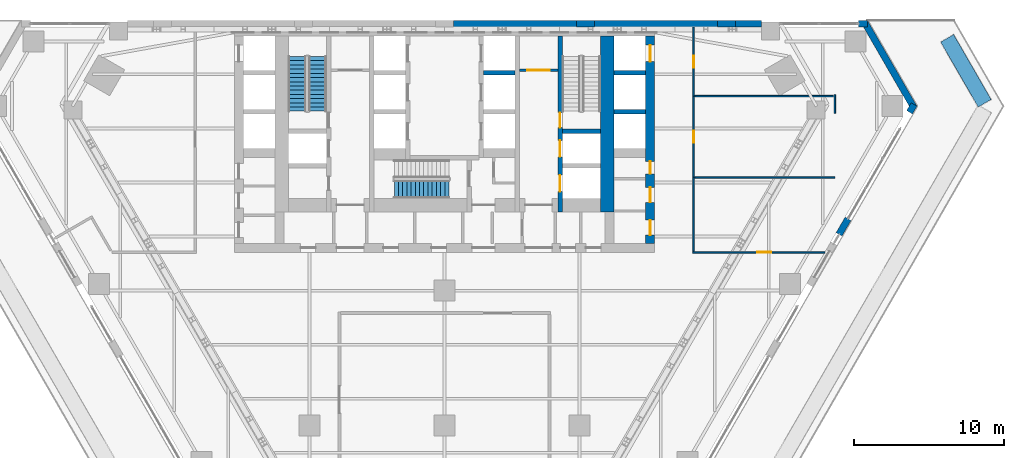
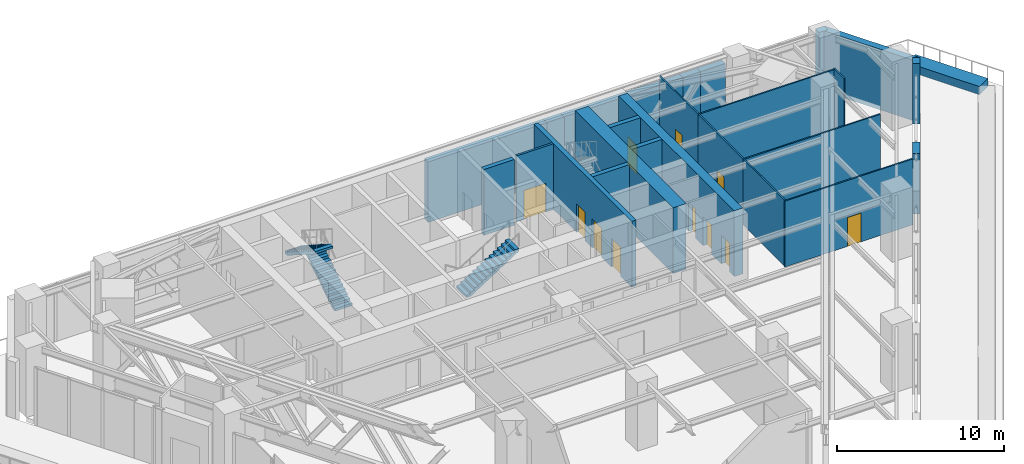
# One storey, part 21 of 25: 25 walls, 11 doors, 3 stair flights, 11 openings, 2 elements without a shape of their own.
"""IFC4 building model written with IfcOpenShell, lengths in metres."""

from ifc_helpers import new_model, si_unit, direction, frame, frame_2d, origin, place, context, subcontext, project, spatial, polyline, rectangle, outline, extrude, material, layer, layer_set, type_object, element, fill, aggregate, save


model = new_model("IFC4")

# Units and contexts
model_context = context("Model", 3, precision=1e-05, world=origin(), true_north=direction((0.0, 1.0)))
body_context = subcontext(model_context, "Body", "Model", "MODEL_VIEW")
ifc_project = project(units=[si_unit("LENGTHUNIT", "METRE"), si_unit("AREAUNIT", "SQUARE_METRE"), si_unit("VOLUMEUNIT", "CUBIC_METRE"), si_unit("PLANEANGLEUNIT", "RADIAN"), si_unit("MASSUNIT", "GRAM", prefix="KILO")], contexts=[model_context])

# Site, building, storey
site_placement = place(None, origin())
site = spatial("IfcSite", under=ifc_project, at=site_placement, CompositionType="ELEMENT")
building_placement = place(site_placement, origin())
building = spatial("IfcBuilding", under=site, at=building_placement, Name="Aloe Facet Convention Tower", CompositionType="ELEMENT")
storey_placement = place(building_placement, frame((0.0, 0.0, 30.0)))
storey = spatial("IfcBuildingStorey", under=building, at=storey_placement, Name="L05", CompositionType="ELEMENT", Elevation=30.0)

# Wall, opening, door
ifc_material_1 = material(Name="Concrete blockwork partition", Category="masonry")
ifc_layer_1 = layer(ifc_material_1, 0.14990234375)
ifc_layer_set_1 = layer_set([ifc_layer_1], Name="CR-W-PART150")
wall_type_1 = type_object("IfcWallType", Name="CR-W-PART150", PredefinedType="PARTITIONING", material=ifc_layer_set_1)
wall_1_placement = place(storey_placement, frame((85.0, 131.675048828125, 0.0), z_axis=(0.0, 0.0, 1.0), x_axis=(1.0, 0.0, 0.0)))
wall_1 = element("IfcWall", 1, at=wall_1_placement, inside=storey, type_object=wall_type_1, Name="Core partition L05-038", PredefinedType="PARTITIONING", context=body_context, shape_type="SweptSolid", body=[
    extrude(rectangle(XDim=2.550048828125, YDim=0.14990234375, at=frame_2d((1.27490234375, 0.0))), origin(), (0.0, 0.0, 1.0), 4.800048828125),
])
opening_1_placement = place(wall_1_placement, frame((0.52490234375, 0.0, 0.0)))
opening_1 = element("IfcOpeningElement", 2, at=opening_1_placement, cuts=wall_1, Name="Opening L05-CD21", PredefinedType="OPENING", context=body_context, shape_type="SweptSolid", body=[
    extrude(rectangle(XDim=1.5, YDim=2.10009765625, at=frame_2d((0.75, 1.050048828125))), frame((0.0, 0.0849609375, 0.0), z_axis=(0.0, -1.0, 0.0), x_axis=(1.0, 0.0, 0.0)), (0.0, 0.0, 1.0), 0.169921875),
])
ifc_material_2 = material(Name="Steel fire-resisting door set FD60", Category="steel")
door_type_1 = type_object("IfcDoorType", Name="CR-D-REFUGE-1500-FD60-DD", OperationType="DOUBLE_DOOR_DOUBLE_SWING", PredefinedType="DOOR", material=ifc_material_2)
door_1_placement = place(opening_1_placement, origin())
door_1 = element("IfcDoor", 3, at=door_1_placement, inside=storey, type_object=door_type_1, Name="Core door L05-CD21", OperationType="DOUBLE_DOOR_DOUBLE_SWING", OverallHeight=2.10009765625, OverallWidth=1.5, PredefinedType="DOOR", context=body_context, shape_type="SweptSolid", body=[
    extrude(rectangle(XDim=1.5, YDim=2.10009765625, at=frame_2d((0.75, 1.050048828125))), frame((0.0, 0.02490234375, 0.0), z_axis=(0.0, -1.0, 0.0), x_axis=(1.0, 0.0, 0.0)), (0.0, 0.0, 1.0), 0.050048828125),
])
fill(opening_1, door_1)

# Wall
ifc_material_3 = material(Name="Concrete C80/95", Category="concrete")
ifc_layer_2 = layer(ifc_material_3, 0.300048828125)
ifc_layer_set_2 = layer_set([ifc_layer_2], Name="CR-W-RC300-C8095")
wall_type_2 = type_object("IfcWallType", Name="CR-W-RC300-C8095", PredefinedType="SOLIDWALL", material=ifc_layer_set_2)
wall_2_placement = place(storey_placement, frame((82.60009765625, 131.5, 0.0), z_axis=(0.0, 0.0, 1.0), x_axis=(1.0, 0.0, 0.0)))
element("IfcWall", 4, at=wall_2_placement, inside=storey, type_object=wall_type_2, Name="Core wall L05-031", PredefinedType="SOLIDWALL", context=body_context, shape_type="SweptSolid", body=[
    extrude(rectangle(XDim=2.099853515625, YDim=0.300048828125, at=frame_2d((1.0498046875, 0.0))), origin(), (0.0, 0.0, 1.0), 4.800048828125),
])

# Wall, openings, doors
wall_3_placement = place(storey_placement, frame((87.699951171875, 133.949951171875, 0.0), z_axis=(0.0, 0.0, 1.0), x_axis=(0.0, -1.0, 0.0)))
wall_3 = element("IfcWall", 5, at=wall_3_placement, inside=storey, type_object=wall_type_2, Name="Core wall L05-042", PredefinedType="SOLIDWALL", context=body_context, shape_type="SweptSolid", body=[
    extrude(rectangle(XDim=11.699951171875, YDim=0.300048828125, at=frame_2d((5.85009765625, 0.0))), origin(), (0.0, 0.0, 1.0), 4.800048828125),
])
opening_2_placement = place(wall_3_placement, frame((6.949951171875, 0.0, 0.0)))
opening_2 = element("IfcOpeningElement", 6, at=opening_2_placement, cuts=wall_3, Name="Opening LD-FF2-L05", PredefinedType="OPENING", context=body_context, shape_type="SweptSolid", body=[
    extrude(rectangle(XDim=1.10009765625, YDim=2.10009765625, at=frame_2d((0.550048828125, 1.050048828125))), frame((0.0, 0.16015625, 0.0), z_axis=(0.0, -1.0, 0.0), x_axis=(1.0, 0.0, 0.0)), (0.0, 0.0, 1.0), 0.320068359375),
])
opening_3_placement = place(wall_3_placement, frame((5.10009765625, 0.0, 0.0)))
opening_3 = element("IfcOpeningElement", 7, at=opening_3_placement, cuts=wall_3, Name="Opening L05-CD31", PredefinedType="OPENING", context=body_context, shape_type="SweptSolid", body=[
    extrude(rectangle(XDim=1.0, YDim=2.10009765625, at=frame_2d((0.5, 1.050048828125))), frame((0.0, 0.16015625, 0.0), z_axis=(0.0, -1.0, 0.0), x_axis=(1.0, 0.0, 0.0)), (0.0, 0.0, 1.0), 0.320068359375),
])
opening_4_placement = place(wall_3_placement, frame((9.25, 0.0, 0.0)))
opening_4 = element("IfcOpeningElement", 8, at=opening_4_placement, cuts=wall_3, Name="Opening LD-SV1-L05", PredefinedType="OPENING", context=body_context, shape_type="SweptSolid", body=[
    extrude(rectangle(XDim=1.10009765625, YDim=2.10009765625, at=frame_2d((0.550048828125, 1.050048828125))), frame((0.0, 0.16015625, 0.0), z_axis=(0.0, -1.0, 0.0), x_axis=(1.0, 0.0, 0.0)), (0.0, 0.0, 1.0), 0.320068359375),
])
ifc_material_4 = material(Name="Steel fire-resisting door set FD120", Category="steel")
door_type_2 = type_object("IfcDoorType", Name="CR-D-STAIR-1000-FD120-SLEFT", OperationType="SINGLE_SWING_LEFT", PredefinedType="DOOR", material=ifc_material_4)
door_2_placement = place(opening_3_placement, origin())
door_2 = element("IfcDoor", 9, at=door_2_placement, inside=storey, type_object=door_type_2, Name="Core door L05-CD31", OperationType="SINGLE_SWING_LEFT", OverallHeight=2.10009765625, OverallWidth=1.0, PredefinedType="DOOR", context=body_context, shape_type="SweptSolid", body=[
    extrude(rectangle(XDim=1.0, YDim=2.10009765625, at=frame_2d((0.5, 1.050048828125))), frame((0.0, 0.02490234375, 0.0), z_axis=(0.0, -1.0, 0.0), x_axis=(1.0, 0.0, 0.0)), (0.0, 0.0, 1.0), 0.050048828125),
])
fill(opening_3, door_2)
ifc_material_5 = material(Name="Stainless steel sliding landing door", Category="steel")
door_type_3 = type_object("IfcDoorType", Name="CR-LD-1100-FD120-_LEFT", OperationType="SLIDING_TO_LEFT", PredefinedType="DOOR", material=ifc_material_5)
door_3_placement = place(opening_2_placement, origin())
door_3 = element("IfcDoor", 10, at=door_3_placement, inside=storey, type_object=door_type_3, Name="Landing door FF2 L05", OperationType="SLIDING_TO_LEFT", OverallHeight=2.10009765625, OverallWidth=1.10009765625, PredefinedType="DOOR", context=body_context, shape_type="SweptSolid", body=[
    extrude(rectangle(XDim=1.10009765625, YDim=2.10009765625, at=frame_2d((0.550048828125, 1.050048828125))), frame((0.0, 0.02490234375, 0.0), z_axis=(0.0, -1.0, 0.0), x_axis=(1.0, 0.0, 0.0)), (0.0, 0.0, 1.0), 0.050048828125),
])
fill(opening_2, door_3)
door_4_placement = place(opening_4_placement, origin())
door_4 = element("IfcDoor", 11, at=door_4_placement, inside=storey, type_object=door_type_3, Name="Landing door SV1 L05", OperationType="SLIDING_TO_LEFT", OverallHeight=2.10009765625, OverallWidth=1.10009765625, PredefinedType="DOOR", context=body_context, shape_type="SweptSolid", body=[
    extrude(rectangle(XDim=1.10009765625, YDim=2.10009765625, at=frame_2d((0.550048828125, 1.050048828125))), frame((0.0, 0.02490234375, 0.0), z_axis=(0.0, -1.0, 0.0), x_axis=(1.0, 0.0, 0.0)), (0.0, 0.0, 1.0), 0.050048828125),
])
fill(opening_4, door_4)

# Walls
wall_4_placement = place(storey_placement, frame((87.85009765625, 127.60009765625, 0.0), z_axis=(0.0, 0.0, 1.0), x_axis=(1.0, 0.0, 0.0)))
element("IfcWall", 12, at=wall_4_placement, inside=storey, type_object=wall_type_2, Name="Core wall L05-043", PredefinedType="SOLIDWALL", context=body_context, shape_type="SweptSolid", body=[
    extrude(rectangle(XDim=2.5498046875, YDim=0.300048828125, at=frame_2d((1.27490234375, 0.0))), origin(), (0.0, 0.0, 1.0), 4.800048828125),
])
for number, where, z_axis, x_axis, name in (
    (13, (91.300048828125, 131.5, 0.0), (0.0, 0.0, 1.0), (1.0, 0.0, 0.0), "Core wall L05-049"),
    (14, (91.300048828125, 128.89990234375, 0.0), (0.0, 0.0, 1.0), (1.0, 0.0, 0.0), "Core wall L05-050"),
):
    element("IfcWall", number, at=place(storey_placement, frame(where, z_axis=z_axis, x_axis=x_axis)), inside=storey, type_object=wall_type_2, Name=name, PredefinedType="SOLIDWALL", context=body_context, shape_type="SweptSolid", body=[
        extrude(rectangle(XDim=2.099853515625, YDim=0.300048828125, at=frame_2d((1.0498046875, 0.0))), origin(), (0.0, 0.0, 1.0), 4.800048828125),
    ])

# Wall, openings, doors
ifc_material_6 = material(Name="Concrete C80/95", Category="concrete")
ifc_layer_3 = layer(ifc_material_6, 0.60009765625)
ifc_layer_set_3 = layer_set([ifc_layer_3], Name="CR-W-RC600-C8095")
wall_type_3 = type_object("IfcWallType", Name="CR-W-RC600-C8095", PredefinedType="SOLIDWALL", material=ifc_layer_set_3)
wall_5_placement = place(storey_placement, frame((93.699951171875, 133.949951171875, 0.0), z_axis=(0.0, 0.0, 1.0), x_axis=(0.0, -1.0, 0.0)))
wall_5 = element("IfcWall", 15, at=wall_5_placement, inside=storey, type_object=wall_type_3, Name="Core wall L05-054", PredefinedType="SOLIDWALL", context=body_context, shape_type="SweptSolid", body=[
    extrude(rectangle(XDim=13.800048828125, YDim=0.60009765625, at=frame_2d((6.89990234375, 0.0))), origin(), (0.0, 0.0, 1.0), 4.800048828125),
])
opening_5_placement = place(wall_5_placement, frame((0.60009765625, 0.0, 0.0)))
opening_5 = element("IfcOpeningElement", 16, at=opening_5_placement, cuts=wall_5, Name="Opening LD-A8-L05", PredefinedType="OPENING", context=body_context, shape_type="SweptSolid", body=[
    extrude(rectangle(XDim=1.10009765625, YDim=2.10009765625, at=frame_2d((0.550048828125, 1.050048828125))), frame((0.0, 0.31005859375, 0.0), z_axis=(0.0, -1.0, 0.0), x_axis=(1.0, 0.0, 0.0)), (0.0, 0.0, 1.0), 0.6201171875),
])
opening_6_placement = place(wall_5_placement, frame((8.35009765625, 0.0, 0.0)))
opening_6 = element("IfcOpeningElement", 17, at=opening_6_placement, cuts=wall_5, Name="Opening L05-CD09", PredefinedType="OPENING", context=body_context, shape_type="SweptSolid", body=[
    extrude(rectangle(XDim=0.826416015625, YDim=2.10009765625, at=frame_2d((0.4130859375, 1.050048828125))), frame((0.0, 0.31005859375, 0.0), z_axis=(0.0, -1.0, 0.0), x_axis=(1.0, 0.0, 0.0)), (0.0, 0.0, 1.0), 0.6201171875),
])
opening_7_placement = place(wall_5_placement, frame((10.071044921875, 0.0, 0.0)))
opening_7 = element("IfcOpeningElement", 18, at=opening_7_placement, cuts=wall_5, Name="Opening L05-CD10", PredefinedType="OPENING", context=body_context, shape_type="SweptSolid", body=[
    extrude(rectangle(XDim=1.0, YDim=2.10009765625, at=frame_2d((0.5, 1.050048828125))), frame((0.0, 0.31005859375, 0.0), z_axis=(0.0, -1.0, 0.0), x_axis=(1.0, 0.0, 0.0)), (0.0, 0.0, 1.0), 0.6201171875),
])
opening_8_placement = place(wall_5_placement, frame((12.2578125, 0.0, 0.0)))
opening_8 = element("IfcOpeningElement", 19, at=opening_8_placement, cuts=wall_5, Name="Opening L05-CD11", PredefinedType="OPENING", context=body_context, shape_type="SweptSolid", body=[
    extrude(rectangle(XDim=1.0, YDim=2.10009765625, at=frame_2d((0.5, 1.050048828125))), frame((0.0, 0.31005859375, 0.0), z_axis=(0.0, -1.0, 0.0), x_axis=(1.0, 0.0, 0.0)), (0.0, 0.0, 1.0), 0.6201171875),
])
ifc_material_7 = material(Name="Steel fire-resisting door set FD60", Category="steel")
door_type_4 = type_object("IfcDoorType", Name="CR-D-ROOM-1000-FD60-SLEFT", OperationType="SINGLE_SWING_LEFT", PredefinedType="DOOR", material=ifc_material_7)
door_5_placement = place(opening_7_placement, origin())
door_5 = element("IfcDoor", 20, at=door_5_placement, inside=storey, type_object=door_type_4, Name="Core door L05-CD10", OperationType="SINGLE_SWING_LEFT", OverallHeight=2.10009765625, OverallWidth=1.0, PredefinedType="DOOR", context=body_context, shape_type="SweptSolid", body=[
    extrude(rectangle(XDim=1.0, YDim=2.10009765625, at=frame_2d((0.5, 1.050048828125))), frame((0.0, 0.02490234375, 0.0), z_axis=(0.0, -1.0, 0.0), x_axis=(1.0, 0.0, 0.0)), (0.0, 0.0, 1.0), 0.050048828125),
])
fill(opening_7, door_5)
door_6_placement = place(opening_8_placement, origin())
door_6 = element("IfcDoor", 21, at=door_6_placement, inside=storey, type_object=door_type_4, Name="Core door L05-CD11", OperationType="SINGLE_SWING_LEFT", OverallHeight=2.10009765625, OverallWidth=1.0, PredefinedType="DOOR", context=body_context, shape_type="SweptSolid", body=[
    extrude(rectangle(XDim=1.0, YDim=2.10009765625, at=frame_2d((0.5, 1.050048828125))), frame((0.0, 0.02490234375, 0.0), z_axis=(0.0, -1.0, 0.0), x_axis=(1.0, 0.0, 0.0)), (0.0, 0.0, 1.0), 0.050048828125),
])
fill(opening_8, door_6)
ifc_material_8 = material(Name="Steel fire-resisting door set FD60", Category="steel")
door_type_5 = type_object("IfcDoorType", Name="CR-D-ROOM-826-FD60-SLEFT", OperationType="SINGLE_SWING_LEFT", PredefinedType="DOOR", material=ifc_material_8)
door_7_placement = place(opening_6_placement, origin())
door_7 = element("IfcDoor", 22, at=door_7_placement, inside=storey, type_object=door_type_5, Name="Core door L05-CD09", OperationType="SINGLE_SWING_LEFT", OverallHeight=2.10009765625, OverallWidth=0.826416015625, PredefinedType="DOOR", context=body_context, shape_type="SweptSolid", body=[
    extrude(rectangle(XDim=0.826416015625, YDim=2.10009765625, at=frame_2d((0.4130859375, 1.050048828125))), frame((0.0, 0.02490234375, 0.0), z_axis=(0.0, -1.0, 0.0), x_axis=(1.0, 0.0, 0.0)), (0.0, 0.0, 1.0), 0.050048828125),
])
fill(opening_6, door_7)
ifc_material_9 = material(Name="Stainless steel sliding landing door", Category="steel")
door_type_6 = type_object("IfcDoorType", Name="CR-LD-1100-FD60-_LEFT", OperationType="SLIDING_TO_LEFT", PredefinedType="DOOR", material=ifc_material_9)
door_8_placement = place(opening_5_placement, origin())
door_8 = element("IfcDoor", 23, at=door_8_placement, inside=storey, type_object=door_type_6, Name="Landing door A8 L05", OperationType="SLIDING_TO_LEFT", OverallHeight=2.10009765625, OverallWidth=1.10009765625, PredefinedType="DOOR", context=body_context, shape_type="SweptSolid", body=[
    extrude(rectangle(XDim=1.10009765625, YDim=2.10009765625, at=frame_2d((0.550048828125, 1.050048828125))), frame((0.0, 0.02490234375, 0.0), z_axis=(0.0, -1.0, 0.0), x_axis=(1.0, 0.0, 0.0)), (0.0, 0.0, 1.0), 0.050048828125),
])
fill(opening_5, door_8)

# Walls
ifc_material_10 = material(Name="Concrete C80/95", Category="concrete")
ifc_layer_4 = layer(ifc_material_10, 0.89990234375)
ifc_layer_set_4 = layer_set([ifc_layer_4], Name="CR-W-RC900-C8095")
wall_type_4 = type_object("IfcWallType", Name="CR-W-RC900-C8095", PredefinedType="SOLIDWALL", material=ifc_layer_set_4)
wall_6_placement = place(storey_placement, frame((90.85009765625, 133.949951171875, 0.0), z_axis=(0.0, 0.0, 1.0), x_axis=(0.0, -1.0, 0.0)))
element("IfcWall", 24, at=wall_6_placement, inside=storey, type_object=wall_type_4, Name="Core wall L05-047", PredefinedType="SOLIDWALL", context=body_context, shape_type="SweptSolid", body=[
    extrude(rectangle(XDim=11.699951171875, YDim=0.89990234375, at=frame_2d((5.85009765625, 0.0))), origin(), (0.0, 0.0, 1.0), 4.800048828125),
])
ifc_material_11 = material(Name="Precast concrete C40/50", Category="concrete")
ifc_layer_5 = layer(ifc_material_11, 1.0)
ifc_layer_set_5 = layer_set([ifc_layer_5], Name="EV-PLANTER-BED")
wall_type_5 = type_object("IfcWallType", Name="EV-PLANTER-BED", PredefinedType="STANDARD", material=ifc_layer_set_5)
wall_7_placement = place(storey_placement, frame((113.48095703125, 133.80712890625, 0.0), z_axis=(0.0, 0.0, 1.0), x_axis=(0.500004234368, -0.866022959057, 0.0)))
element("IfcWall", 25, at=wall_7_placement, inside=storey, type_object=wall_type_5, Name="PLANTER PT-L05-1-1", PredefinedType="STANDARD", context=body_context, shape_type="SweptSolid", body=[
    extrude(rectangle(XDim=5.0, YDim=1.0, at=frame_2d((2.5, 0.0))), origin(), (0.0, 0.0, 1.0), 0.60009765625),
])
ifc_material_12 = material(Name="Precast concrete C40/50", Category="concrete")
ifc_layer_6 = layer(ifc_material_12, 0.449951171875)
ifc_layer_set_6 = layer_set([ifc_layer_6], Name="EV-WALL-PIER")
wall_type_6 = type_object("IfcWallType", Name="EV-WALL-PIER", PredefinedType="SOLIDWALL", material=ifc_layer_set_6)
wall_8_placement = place(storey_placement, frame((0.0, 0.0, -0.300048828125)))
element("IfcWall", 26, at=wall_8_placement, inside=storey, type_object=wall_type_6, Name="EP-L05-C", PredefinedType="SOLIDWALL", context=body_context, shape_type="SweptSolid", body=[
    extrude(outline(polyline([(111.473388671875, 129.2841796875), (111.083740234375, 129.50927734375), (110.953857421875, 129.2841796875), (107.91357421875, 134.550048828125), (108.173583984375, 134.550048828125), (108.173583984375, 135.0), (111.473388671875, 129.2841796875)])), origin(), (0.0, 0.0, 1.0), 4.41259765625),
])
ifc_material_13 = material(Name="Precast concrete C40/50", Category="concrete")
ifc_layer_7 = layer(ifc_material_13, 0.449951171875)
ifc_layer_set_7 = layer_set([ifc_layer_7], Name="EV-WALL-STONE")
wall_type_7 = type_object("IfcWallType", Name="EV-WALL-STONE", PredefinedType="SOLIDWALL", material=ifc_layer_set_7)
wall_9_placement = place(storey_placement, frame((108.173583984375, 134.77490234375, -0.300048828125), z_axis=(0.0, 0.0, 1.0), x_axis=(-1.0, 0.0, 0.0)))
element("IfcWall", 27, at=wall_9_placement, inside=storey, type_object=wall_type_7, Name="PW-L05-N01", PredefinedType="SOLIDWALL", context=body_context, shape_type="SweptSolid", body=[
    extrude(rectangle(XDim=0.60009765625, YDim=0.449951171875, at=frame_2d((0.300048828125, 0.0))), origin(), (0.0, 0.0, 1.0), 4.41259765625),
])
wall_10_placement = place(storey_placement, frame((101.10009765625, 134.77490234375, -0.300048828125), z_axis=(0.0, 0.0, 1.0), x_axis=(-1.0, 0.0, 0.0)))
element("IfcWall", 28, at=wall_10_placement, inside=storey, type_object=wall_type_7, Name="CW-L05-N02-R1", PredefinedType="SOLIDWALL", context=body_context, shape_type="SweptSolid", body=[
    extrude(rectangle(XDim=1.7177734375, YDim=0.449951171875, at=frame_2d((0.85888671875, 0.0))), origin(), (0.0, 0.0, 1.0), 4.41259765625),
])
wall_11_placement = place(storey_placement, frame((99.38232421875, 134.77490234375, -0.300048828125), z_axis=(0.0, 0.0, 1.0), x_axis=(-1.0, 0.0, 0.0)))
element("IfcWall", 29, at=wall_11_placement, inside=storey, type_object=wall_type_7, Name="PW-L05-N03", PredefinedType="SOLIDWALL", context=body_context, shape_type="SweptSolid", body=[
    extrude(rectangle(XDim=1.199951171875, YDim=0.449951171875, at=frame_2d((0.60009765625, 0.0))), origin(), (0.0, 0.0, 1.0), 4.41259765625),
])
wall_12_placement = place(storey_placement, frame((98.182373046875, 134.77490234375, -0.300048828125), z_axis=(0.0, 0.0, 1.0), x_axis=(-1.0, 0.0, 0.0)))
element("IfcWall", 30, at=wall_12_placement, inside=storey, type_object=wall_type_7, Name="PW-L05-N04", PredefinedType="SOLIDWALL", context=body_context, shape_type="SweptSolid", body=[
    extrude(rectangle(XDim=8.191162109375, YDim=0.449951171875, at=frame_2d((4.095703125, 0.0))), origin(), (0.0, 0.0, 1.0), 4.41259765625),
])
wall_13_placement = place(storey_placement, frame((89.9912109375, 134.77490234375, -0.300048828125), z_axis=(0.0, 0.0, 1.0), x_axis=(-1.0, 0.0, 0.0)))
element("IfcWall", 31, at=wall_13_placement, inside=storey, type_object=wall_type_7, Name="PW-L05-N05", PredefinedType="SOLIDWALL", context=body_context, shape_type="SweptSolid", body=[
    extrude(rectangle(XDim=1.199951171875, YDim=0.449951171875, at=frame_2d((0.60009765625, 0.0))), origin(), (0.0, 0.0, 1.0), 4.41259765625),
])
wall_14_placement = place(storey_placement, frame((88.791259765625, 134.77490234375, -0.300048828125), z_axis=(0.0, 0.0, 1.0), x_axis=(-1.0, 0.0, 0.0)))
element("IfcWall", 32, at=wall_14_placement, inside=storey, type_object=wall_type_7, Name="PW-L05-N06", PredefinedType="SOLIDWALL", context=body_context, shape_type="SweptSolid", body=[
    extrude(rectangle(XDim=8.191162109375, YDim=0.449951171875, at=frame_2d((4.095703125, 0.0))), origin(), (0.0, 0.0, 1.0), 4.41259765625),
])
wall_15_placement = place(storey_placement, frame((106.282958984375, 120.744140625, -0.300048828125), z_axis=(0.0, 0.0, 1.0), x_axis=(0.500033551112, 0.866006032174, 0.0)))
element("IfcWall", 33, at=wall_15_placement, inside=storey, type_object=wall_type_7, Name="PW-L05-E11", PredefinedType="SOLIDWALL", context=body_context, shape_type="SweptSolid", body=[
    extrude(rectangle(XDim=1.2001953125, YDim=0.449951171875, at=frame_2d((0.60009765625, 0.0))), origin(), (0.0, 0.0, 1.0), 4.41259765625),
])
wall_16_placement = place(storey_placement, frame((110.978759765625, 128.877197265625, -0.300048828125), z_axis=(0.0, 0.0, 1.0), x_axis=(0.499816412211, 0.866131372301, 0.0)))
element("IfcWall", 34, at=wall_16_placement, inside=storey, type_object=wall_type_7, Name="PW-L05-E13", PredefinedType="SOLIDWALL", context=body_context, shape_type="SweptSolid", body=[
    extrude(rectangle(XDim=0.599853515625, YDim=0.449951171875, at=frame_2d((0.2998046875, 0.0))), origin(), (0.0, 0.0, 1.0), 4.41259765625),
])

# Wall, opening, door
ifc_material_14 = material(Name="Gypsum board partition on steel studs, moisture resistant", Category="steel")
ifc_layer_8 = layer(ifc_material_14, 0.10009765625)
ifc_layer_set_8 = layer_set([ifc_layer_8], Name="IN-POD-W-WET")
wall_type_8 = type_object("IfcWallType", Name="IN-POD-W-WET", PredefinedType="PARTITIONING", material=ifc_layer_set_8)
wall_17_placement = place(storey_placement, frame((96.525390625, 119.550048828125, 0.0), z_axis=(0.0, 0.0, 1.0), x_axis=(1.0, 0.0, 0.0)))
wall_17 = element("IfcWall", 35, at=wall_17_placement, inside=storey, type_object=wall_type_8, Name="Partition L05-W014", PredefinedType="PARTITIONING", context=body_context, shape_type="SweptSolid", body=[
    extrude(rectangle(XDim=8.80810546875, YDim=0.10009765625, at=frame_2d((4.404052734375, 0.0))), origin(), (0.0, 0.0, 1.0), 4.800048828125),
])
opening_9_placement = place(wall_17_placement, frame((4.2919921875, 0.0, 0.0)))
opening_9 = element("IfcOpeningElement", 36, at=opening_9_placement, cuts=wall_17, Name="Opening L05-001", PredefinedType="OPENING", context=body_context, shape_type="SweptSolid", body=[
    extrude(rectangle(XDim=0.949951171875, YDim=2.10009765625, at=frame_2d((0.47509765625, 1.050048828125))), frame((0.0, 0.06005859375, 0.0), z_axis=(0.0, -1.0, 0.0), x_axis=(1.0, 0.0, 0.0)), (0.0, 0.0, 1.0), 0.1201171875),
])
ifc_material_15 = material(Name="Hardwood flush door, 950 mm clear leaf", Category="wood")
door_type_7 = type_object("IfcDoorType", Name="IN-POD-D-ACC", OperationType="SINGLE_SWING_LEFT", PredefinedType="DOOR", material=ifc_material_15)
door_9_placement = place(opening_9_placement, origin())
door_9 = element("IfcDoor", 37, at=door_9_placement, inside=storey, type_object=door_type_7, Name="Door L05-001", OperationType="SINGLE_SWING_LEFT", OverallHeight=2.10009765625, OverallWidth=0.949951171875, PredefinedType="DOOR", context=body_context, shape_type="SweptSolid", body=[
    extrude(rectangle(XDim=0.949951171875, YDim=2.10009765625, at=frame_2d((0.47509765625, 1.050048828125))), frame((0.0, 0.02490234375, 0.0), z_axis=(0.0, -1.0, 0.0), x_axis=(1.0, 0.0, 0.0)), (0.0, 0.0, 1.0), 0.050048828125),
])
fill(opening_9, door_9)

# Walls
wall_18_placement = place(storey_placement, frame((96.675048828125, 124.550048828125, 0.0), z_axis=(0.0, 0.0, 1.0), x_axis=(1.0, 0.0, 0.0)))
element("IfcWall", 38, at=wall_18_placement, inside=storey, type_object=wall_type_8, Name="Partition L05-W017", PredefinedType="PARTITIONING", context=body_context, shape_type="SweptSolid", body=[
    extrude(rectangle(XDim=9.324951171875, YDim=0.10009765625, at=frame_2d((4.66259765625, 0.0))), origin(), (0.0, 0.0, 1.0), 4.800048828125),
])
wall_19_placement = place(storey_placement, frame((96.6005859375, 119.625, 0.0), z_axis=(0.0, 0.0, 1.0), x_axis=(-9.9142418e-05, 0.999999995085, 0.0)))
element("IfcWall", 39, at=wall_19_placement, inside=storey, type_object=wall_type_8, Name="Partition L05-W018", PredefinedType="PARTITIONING", context=body_context, shape_type="SweptSolid", body=[
    extrude(rectangle(XDim=4.925048828125, YDim=0.10009765625, at=frame_2d((2.46240234375, 0.0))), origin(), (0.0, 0.0, 1.0), 4.800048828125),
])
wall_20_placement = place(storey_placement, frame((106.0, 128.803955078125, 0.0), z_axis=(0.0, 0.0, 1.0), x_axis=(0.0, 1.0, 0.0)))
element("IfcWall", 40, at=wall_20_placement, inside=storey, type_object=wall_type_8, Name="Partition L05-W019", PredefinedType="PARTITIONING", context=body_context, shape_type="SweptSolid", body=[
    extrude(rectangle(XDim=1.24560546875, YDim=0.10009765625, at=frame_2d((0.622802734375, 0.0))), origin(), (0.0, 0.0, 1.0), 4.800048828125),
])
wall_21_placement = place(storey_placement, frame((96.675048828125, 129.949951171875, 0.0), z_axis=(0.0, 0.0, 1.0), x_axis=(0.999999998599, -5.2931057e-05, 0.0)))
element("IfcWall", 41, at=wall_21_placement, inside=storey, type_object=wall_type_8, Name="Partition L05-W020", PredefinedType="PARTITIONING", context=body_context, shape_type="SweptSolid", body=[
    extrude(rectangle(XDim=9.224853515625, YDim=0.10009765625, at=frame_2d((4.6123046875, 0.0))), origin(), (0.0, 0.0, 1.0), 4.800048828125),
])

# Wall, opening, door
wall_22_placement = place(storey_placement, frame((96.60009765625, 124.550048828125, 0.0), z_axis=(0.0, 0.0, 1.0), x_axis=(0.0, 1.0, 0.0)))
wall_22 = element("IfcWall", 42, at=wall_22_placement, inside=storey, type_object=wall_type_8, Name="Partition L05-W021", PredefinedType="PARTITIONING", context=body_context, shape_type="SweptSolid", body=[
    extrude(rectangle(XDim=5.39990234375, YDim=0.10009765625, at=frame_2d((2.699951171875, 0.0))), origin(), (0.0, 0.0, 1.0), 4.800048828125),
])
opening_10_placement = place(wall_22_placement, frame((2.300048828125, 0.0, 0.0)))
opening_10 = element("IfcOpeningElement", 43, at=opening_10_placement, cuts=wall_22, Name="Opening L05-002", PredefinedType="OPENING", context=body_context, shape_type="SweptSolid", body=[
    extrude(rectangle(XDim=0.800048828125, YDim=2.10009765625, at=frame_2d((0.39990234375, 1.050048828125))), frame((0.0, 0.06005859375, 0.0), z_axis=(0.0, -1.0, 0.0), x_axis=(1.0, 0.0, 0.0)), (0.0, 0.0, 1.0), 0.1201171875),
])
ifc_material_16 = material(Name="Timber flush door", Category="wood")
door_type_8 = type_object("IfcDoorType", Name="IN-POD-D-WC", OperationType="SINGLE_SWING_LEFT", PredefinedType="DOOR", material=ifc_material_16)
door_10_placement = place(opening_10_placement, origin())
door_10 = element("IfcDoor", 44, at=door_10_placement, inside=storey, type_object=door_type_8, Name="Door L05-002", OperationType="SINGLE_SWING_LEFT", OverallHeight=2.10009765625, OverallWidth=0.800048828125, PredefinedType="DOOR", context=body_context, shape_type="SweptSolid", body=[
    extrude(rectangle(XDim=0.800048828125, YDim=2.10009765625, at=frame_2d((0.39990234375, 1.050048828125))), frame((0.0, 0.02490234375, 0.0), z_axis=(0.0, -1.0, 0.0), x_axis=(1.0, 0.0, 0.0)), (0.0, 0.0, 1.0), 0.050048828125),
])
fill(opening_10, door_10)

wall_23_placement = place(storey_placement, frame((96.60009765625, 129.949951171875, 0.0), z_axis=(0.0, 0.0, 1.0), x_axis=(0.0, 1.0, 0.0)))
wall_23 = element("IfcWall", 45, at=wall_23_placement, inside=storey, type_object=wall_type_8, Name="Partition L05-W022", PredefinedType="PARTITIONING", context=body_context, shape_type="SweptSolid", body=[
    extrude(rectangle(XDim=4.60009765625, YDim=0.10009765625, at=frame_2d((2.300048828125, 0.0))), origin(), (0.0, 0.0, 1.0), 4.800048828125),
])
opening_11_placement = place(wall_23_placement, frame((1.89990234375, 0.0, 0.0)))
opening_11 = element("IfcOpeningElement", 46, at=opening_11_placement, cuts=wall_23, Name="Opening L05-003", PredefinedType="OPENING", context=body_context, shape_type="SweptSolid", body=[
    extrude(rectangle(XDim=0.800048828125, YDim=2.10009765625, at=frame_2d((0.39990234375, 1.050048828125))), frame((0.0, 0.06005859375, 0.0), z_axis=(0.0, -1.0, 0.0), x_axis=(1.0, 0.0, 0.0)), (0.0, 0.0, 1.0), 0.1201171875),
])
door_11_placement = place(opening_11_placement, origin())
door_11 = element("IfcDoor", 47, at=door_11_placement, inside=storey, type_object=door_type_8, Name="Door L05-003", OperationType="SINGLE_SWING_LEFT", OverallHeight=2.10009765625, OverallWidth=0.800048828125, PredefinedType="DOOR", context=body_context, shape_type="SweptSolid", body=[
    extrude(rectangle(XDim=0.800048828125, YDim=2.10009765625, at=frame_2d((0.39990234375, 1.050048828125))), frame((0.0, 0.02490234375, 0.0), z_axis=(0.0, -1.0, 0.0), x_axis=(1.0, 0.0, 0.0)), (0.0, 0.0, 1.0), 0.050048828125),
])
fill(opening_11, door_11)

# Stair, stair flights
ifc_material_17 = material(Name="Concrete C50/60", Category="concrete")
stair_type = type_object("IfcStairType", Name="CR-ST-28R", PredefinedType="HALF_TURN_STAIR", material=ifc_material_17)
stair_1_placement = place(storey_placement, origin())
stair_1 = element("IfcStair", 48, at=stair_1_placement, inside=storey, type_object=stair_type, Name="L05 Protected exit stair ST1", PredefinedType="HALF_TURN_STAIR")
ifc_material_18 = material(Name="Concrete C50/60", Category="concrete")
stair_flight_type = type_object("IfcStairFlightType", Name="CR-SFL-28R", PredefinedType="STRAIGHT", material=ifc_material_18)
stair_flight_1_placement = place(storey_placement, frame((71.550048828125, 128.949951171875, 0.0), z_axis=(0.0, 0.0, 1.0), x_axis=(0.0, 1.0, 0.0)))
stair_flight_1 = element("IfcStairFlight", 49, at=stair_flight_1_placement, type_object=stair_flight_type, Name="ST1 flight 1", NumberOfRisers=14, NumberOfTreads=13, PredefinedType="STRAIGHT", RiserHeight=0.178571429, TreadLength=0.28, context=body_context, shape_type="SweptSolid", body=[
    extrude(outline(polyline([(0.0, 0.0), (0.0, 0.178466796875), (0.280029296875, 0.178466796875), (0.280029296875, 0.357177734375), (0.56005859375, 0.357177734375), (0.56005859375, 0.53564453125), (0.840087890625, 0.53564453125), (0.840087890625, 0.71435546875), (1.1201171875, 0.71435546875), (1.1201171875, 0.892822265625), (1.39990234375, 0.892822265625), (1.39990234375, 1.071533203125), (1.679931640625, 1.071533203125), (1.679931640625, 1.25), (1.9599609375, 1.25), (1.9599609375, 1.428466796875), (2.239990234375, 1.428466796875), (2.239990234375, 1.607177734375), (2.52001953125, 1.607177734375), (2.52001953125, 1.78564453125), (2.800048828125, 1.78564453125), (2.800048828125, 1.96435546875), (3.080078125, 1.96435546875), (3.080078125, 2.142822265625), (3.360107421875, 2.142822265625), (3.360107421875, 2.321533203125), (3.639892578125, 2.321533203125), (3.639892578125, 2.5), (3.639892578125, 2.1435546875), (0.27880859375, 0.0), (0.0, 0.0)])), frame((0.0, 0.60009765625, 0.0), z_axis=(0.0, -1.0, 0.0), x_axis=(1.0, 0.0, 0.0)), (0.0, 0.0, 1.0), 1.199951171875),
])
stair_flight_2_placement = place(storey_placement, frame((70.199951171875, 132.590087890625, 2.5), z_axis=(0.0, 0.0, 1.0), x_axis=(0.0, -1.0, 0.0)))
stair_flight_2 = element("IfcStairFlight", 50, at=stair_flight_2_placement, type_object=stair_flight_type, Name="ST1 flight 2", NumberOfRisers=14, NumberOfTreads=13, PredefinedType="STRAIGHT", RiserHeight=0.178571429, TreadLength=0.28, context=body_context, shape_type="SweptSolid", body=[
    extrude(outline(polyline([(0.0, 0.0), (0.0, 0.178466796875), (0.280029296875, 0.178466796875), (0.280029296875, 0.357177734375), (0.56005859375, 0.357177734375), (0.56005859375, 0.53564453125), (0.840087890625, 0.53564453125), (0.840087890625, 0.71435546875), (1.1201171875, 0.71435546875), (1.1201171875, 0.892822265625), (1.39990234375, 0.892822265625), (1.39990234375, 1.071533203125), (1.679931640625, 1.071533203125), (1.679931640625, 1.25), (1.9599609375, 1.25), (1.9599609375, 1.428466796875), (2.239990234375, 1.428466796875), (2.239990234375, 1.607177734375), (2.52001953125, 1.607177734375), (2.52001953125, 1.78564453125), (2.800048828125, 1.78564453125), (2.800048828125, 1.96435546875), (3.080078125, 1.96435546875), (3.080078125, 2.142822265625), (3.360107421875, 2.142822265625), (3.360107421875, 2.321533203125), (3.639892578125, 2.321533203125), (3.639892578125, 2.5), (3.639892578125, 2.1435546875), (0.27880859375, 0.0), (0.0, 0.0)])), frame((0.0, 0.60009765625, 0.0), z_axis=(0.0, -1.0, 0.0), x_axis=(1.0, 0.0, 0.0)), (0.0, 0.0, 1.0), 1.199951171875),
])
aggregate(stair_1, [stair_flight_1, stair_flight_2])

# Stair, stair flight
stair_2_placement = place(storey_placement, origin())
stair_2 = element("IfcStair", 51, at=stair_2_placement, inside=storey, type_object=stair_type, Name="L05 Protected exit stair ST3", PredefinedType="HALF_TURN_STAIR")
stair_flight_3_placement = place(storey_placement, frame((76.659912109375, 123.75, 2.5), z_axis=(0.0, 0.0, 1.0), x_axis=(1.0, 0.0, 0.0)))
stair_flight_3 = element("IfcStairFlight", 52, at=stair_flight_3_placement, type_object=stair_flight_type, Name="ST3 flight 2", NumberOfRisers=14, NumberOfTreads=13, PredefinedType="STRAIGHT", RiserHeight=0.178571429, TreadLength=0.28, context=body_context, shape_type="SweptSolid", body=[
    extrude(outline(polyline([(0.0, 0.0), (0.0, 0.178466796875), (0.280029296875, 0.178466796875), (0.280029296875, 0.357177734375), (0.56005859375, 0.357177734375), (0.56005859375, 0.53564453125), (0.840087890625, 0.53564453125), (0.840087890625, 0.71435546875), (1.1201171875, 0.71435546875), (1.1201171875, 0.892822265625), (1.39990234375, 0.892822265625), (1.39990234375, 1.071533203125), (1.679931640625, 1.071533203125), (1.679931640625, 1.25), (1.9599609375, 1.25), (1.9599609375, 1.428466796875), (2.239990234375, 1.428466796875), (2.239990234375, 1.607177734375), (2.52001953125, 1.607177734375), (2.52001953125, 1.78564453125), (2.800048828125, 1.78564453125), (2.800048828125, 1.96435546875), (3.080078125, 1.96435546875), (3.080078125, 2.142822265625), (3.360107421875, 2.142822265625), (3.360107421875, 2.321533203125), (3.639892578125, 2.321533203125), (3.639892578125, 2.5), (3.639892578125, 2.1435546875), (0.27880859375, 0.0), (0.0, 0.0)])), frame((0.0, 0.60009765625, 0.0), z_axis=(0.0, -1.0, 0.0), x_axis=(1.0, 0.0, 0.0)), (0.0, 0.0, 1.0), 1.199951171875),
])
aggregate(stair_2, [stair_flight_3])

save(model, "model.ifc")
